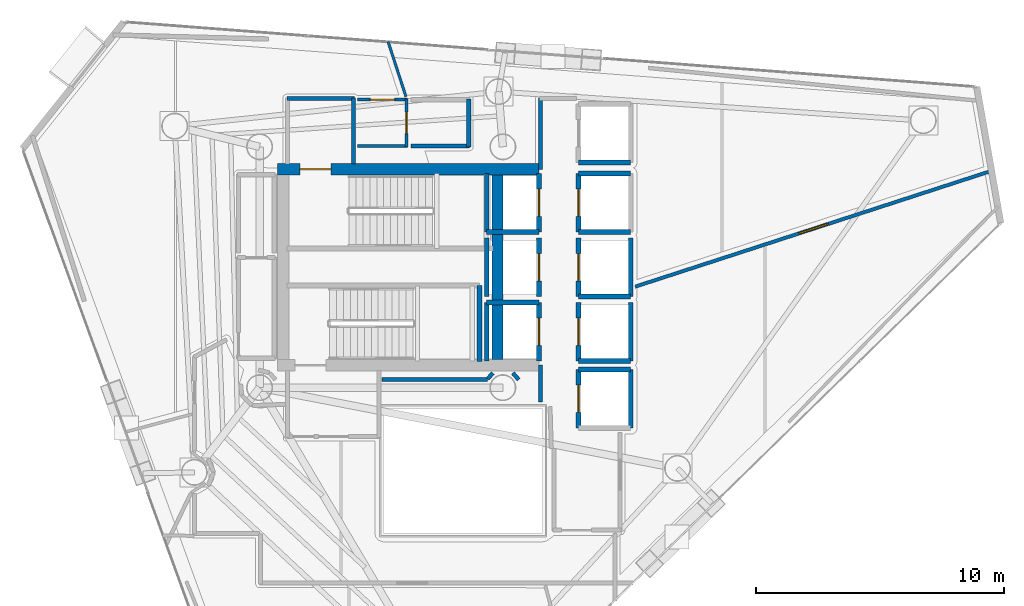
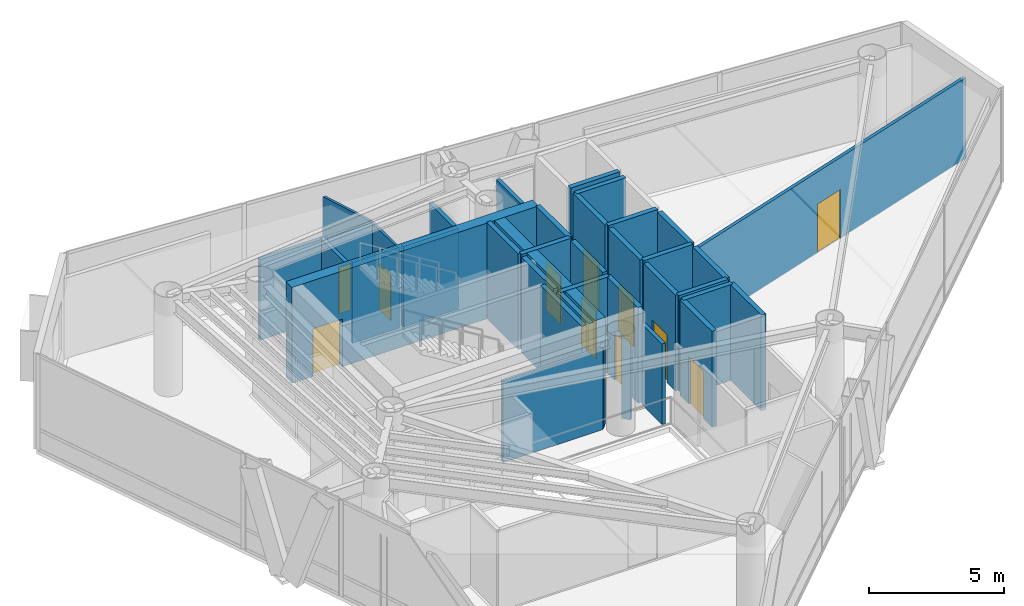
# One storey, part 18 of 21: 38 walls, 11 doors, 11 openings.
"""IFC4 building model written with IfcOpenShell, lengths in metres."""

from ifc_helpers import new_model, si_unit, direction, frame, frame_2d, origin, place, context, subcontext, project, spatial, rectangle, extrude, material, layer, layer_set, type_object, element, fill, save


model = new_model("IFC4")

# Units and contexts
model_context = context("Model", 3, precision=1e-05, world=origin(), true_north=direction((0.0, 1.0)))
body_context = subcontext(model_context, "Body", "Model", "MODEL_VIEW")
ifc_project = project(units=[si_unit("LENGTHUNIT", "METRE"), si_unit("AREAUNIT", "SQUARE_METRE"), si_unit("VOLUMEUNIT", "CUBIC_METRE"), si_unit("PLANEANGLEUNIT", "RADIAN"), si_unit("MASSUNIT", "GRAM", prefix="KILO")], contexts=[model_context])

# Site, building, storey
site_placement = place(None, origin())
site = spatial("IfcSite", under=ifc_project, at=site_placement, CompositionType="ELEMENT")
building_placement = place(site_placement, origin())
building = spatial("IfcBuilding", under=site, at=building_placement, Name="Qianvela Tower", CompositionType="ELEMENT")
storey_placement = place(building_placement, frame((0.0, 0.0, 234.5)))
storey = spatial("IfcBuildingStorey", under=building, at=storey_placement, Name="L60", CompositionType="ELEMENT", Elevation=234.5)

# Wall, opening, door
ifc_material_1 = material(Name="Concrete C50", Category="concrete")
ifc_layer_1 = layer(ifc_material_1, 0.449951171875)
ifc_layer_set_1 = layer_set([ifc_layer_1], Name="Concrete C50")
wall_type_1 = type_object("IfcWallType", Name="WT-CORE-450", PredefinedType="SHEAR", material=ifc_layer_set_1)
wall_1_placement = place(storey_placement, frame((29.330078125, 32.64501953125, 0.0), z_axis=(0.0, 0.0, 1.0), x_axis=(1.0, 0.0, 0.0)))
wall_1 = element("IfcWall", 1, at=wall_1_placement, inside=storey, type_object=wall_type_1, Name="L60 North Core Shear Wall", PredefinedType="SHEAR", context=body_context, shape_type="SweptSolid", body=[
    extrude(rectangle(XDim=10.52001953125, YDim=0.449951171875, at=frame_2d((5.260009765625, 0.0))), origin(), (0.0, 0.0, 1.0), 4.320068359375),
])
opening_1_placement = place(wall_1_placement, frame((0.89501953125, 0.0, 0.0)))
opening_1 = element("IfcOpeningElement", 2, at=opening_1_placement, cuts=wall_1, Name="Opening D-ST1", PredefinedType="OPENING", context=body_context, shape_type="SweptSolid", body=[
    extrude(rectangle(XDim=1.25, YDim=2.14990234375, at=frame_2d((0.625, 1.074951171875))), frame((0.0, 0.23486328125, 0.0), z_axis=(0.0, -1.0, 0.0), x_axis=(1.0, 0.0, 0.0)), (0.0, 0.0, 1.0), 0.469970703125),
])
ifc_material_2 = material(Name="Galvanised Fire Steel Q355B", Category="steel")
door_type_1 = type_object("IfcDoorType", Name="DT-STAIR-FD90", OperationType="NOTDEFINED", PredefinedType="DOOR", material=ifc_material_2)
door_1_placement = place(opening_1_placement, origin())
door_1 = element("IfcDoor", 3, at=door_1_placement, inside=storey, type_object=door_type_1, Name="L60 Stair ST-1 Exit Door", OperationType="SINGLE_SWING_RIGHT", OverallHeight=2.14990234375, OverallWidth=1.25, PredefinedType="DOOR", context=body_context, shape_type="SweptSolid", body=[
    extrude(rectangle(XDim=1.25, YDim=2.14990234375, at=frame_2d((0.625, 1.074951171875))), frame((0.0, 0.02490234375, 0.0), z_axis=(0.0, -1.0, 0.0), x_axis=(1.0, 0.0, 0.0)), (0.0, 0.0, 1.0), 0.050048828125),
])
fill(opening_1, door_1)

# Walls
wall_2_placement = place(storey_placement, frame((38.179931640625, 24.97998046875, 0.0), z_axis=(0.0, 0.0, 1.0), x_axis=(0.0, 1.0, 0.0)))
element("IfcWall", 4, at=wall_2_placement, inside=storey, type_object=wall_type_1, Name="L60 East Spine Core Shear Wall", PredefinedType="SHEAR", context=body_context, shape_type="SweptSolid", body=[
    extrude(rectangle(XDim=7.43994140625, YDim=0.449951171875, at=frame_2d((3.719970703125, 0.0))), origin(), (0.0, 0.0, 1.0), 4.320068359375),
])
ifc_material_3 = material(Name="Fire-Rated Gypsum and Concrete Block", Category="concrete")
ifc_layer_2 = layer(ifc_material_3, 0.159912109375)
ifc_layer_set_2 = layer_set([ifc_layer_2], Name="Fire-Rated Gypsum and Concrete Block")
wall_type_2 = type_object("IfcWallType", Name="WT-CORR-160", PredefinedType="PARTITIONING", material=ifc_layer_set_2)
wall_3_placement = place(storey_placement, frame((29.699951171875, 35.489013671875, 0.0), z_axis=(0.0, 0.0, 1.0), x_axis=(1.0, 0.0, 0.0)))
element("IfcWall", 5, at=wall_3_placement, inside=storey, type_object=wall_type_2, Name="L60 Partition 3", PredefinedType="PARTITIONING", context=body_context, shape_type="SweptSolid", body=[
    extrude(rectangle(XDim=2.719970703125, YDim=0.159912109375, at=frame_2d((1.35986328125, 0.0))), origin(), (0.0, 0.0, 1.0), 3.639892578125),
])
wall_4_placement = place(storey_placement, frame((32.388916015625, 35.52001953125, 0.0), z_axis=(0.0, 0.0, 1.0), x_axis=(0.0, -1.0, 0.0)))
element("IfcWall", 6, at=wall_4_placement, inside=storey, type_object=wall_type_2, Name="L60 Partition 4", PredefinedType="PARTITIONING", context=body_context, shape_type="SweptSolid", body=[
    extrude(rectangle(XDim=2.662109375, YDim=0.159912109375, at=frame_2d((1.3310546875, 0.0))), origin(), (0.0, 0.0, 1.0), 3.639892578125),
])
wall_5_placement = place(storey_placement, frame((39.910888671875, 23.280029296875, 0.0), z_axis=(0.0, 0.0, 1.0), x_axis=(0.0, 1.0, 0.0)))
element("IfcWall", 7, at=wall_5_placement, inside=storey, type_object=wall_type_2, Name="L60 Partition 10", PredefinedType="PARTITIONING", context=body_context, shape_type="SweptSolid", body=[
    extrude(rectangle(XDim=1.47998046875, YDim=0.159912109375, at=frame_2d((0.739990234375, 0.0))), origin(), (0.0, 0.0, 1.0), 3.639892578125),
])
wall_6_placement = place(storey_placement, frame((39.910888671875, 32.639892578125, 0.0), z_axis=(0.0, 0.0, 1.0), x_axis=(0.0, 1.0, 0.0)))
element("IfcWall", 8, at=wall_6_placement, inside=storey, type_object=wall_type_2, Name="L60 Partition 12", PredefinedType="PARTITIONING", context=body_context, shape_type="SweptSolid", body=[
    extrude(rectangle(XDim=2.880126953125, YDim=0.159912109375, at=frame_2d((1.43994140625, 0.0))), origin(), (0.0, 0.0, 1.0), 3.639892578125),
])
wall_7_placement = place(storey_placement, frame((39.0361328125, 24.170166015625, 0.0), z_axis=(0.0, 0.0, 1.0), x_axis=(-0.652260263346, 0.757995084984, 0.0)))
element("IfcWall", 9, at=wall_7_placement, inside=storey, type_object=wall_type_2, Name="L60 Partition 49", PredefinedType="PARTITIONING", context=body_context, shape_type="SweptSolid", body=[
    extrude(rectangle(XDim=0.35546875, YDim=0.159912109375, at=frame_2d((0.177734375, 0.0))), origin(), (0.0, 0.0, 1.0), 3.639892578125),
])
wall_8_placement = place(storey_placement, frame((37.995849609375, 24.439697265625, 0.0), z_axis=(0.0, 0.0, 1.0), x_axis=(-0.652425645794, -0.757852740782, 0.0)))
element("IfcWall", 10, at=wall_8_placement, inside=storey, type_object=wall_type_2, Name="L60 Partition 52", PredefinedType="PARTITIONING", context=body_context, shape_type="SweptSolid", body=[
    extrude(rectangle(XDim=0.319580078125, YDim=0.159912109375, at=frame_2d((0.15966796875, 0.0))), origin(), (0.0, 0.0, 1.0), 3.639892578125),
])
wall_9_placement = place(storey_placement, frame((37.787353515625, 24.180908203125, 0.0), z_axis=(0.0, 0.0, 1.0), x_axis=(-1.0, 0.0, 0.0)))
element("IfcWall", 11, at=wall_9_placement, inside=storey, type_object=wall_type_2, Name="L60 Partition 53", PredefinedType="PARTITIONING", context=body_context, shape_type="SweptSolid", body=[
    extrude(rectangle(XDim=4.25732421875, YDim=0.159912109375, at=frame_2d((2.128662109375, 0.0))), origin(), (0.0, 0.0, 1.0), 3.639892578125),
])
ifc_material_4 = material(Name="Lightweight Gypsum Room Partition")
ifc_layer_3 = layer(ifc_material_4, 0.10498046875)
ifc_layer_set_3 = layer_set([ifc_layer_3], Name="Lightweight Gypsum Room Partition")
wall_type_3 = type_object("IfcWallType", Name="WT-PART-105", PredefinedType="PARTITIONING", material=ifc_layer_set_3)
wall_10_placement = place(storey_placement, frame((34.550048828125, 33.5810546875, 0.0), z_axis=(0.0, 0.0, 1.0), x_axis=(-1.0, 0.0, 0.0)))
element("IfcWall", 12, at=wall_10_placement, inside=storey, type_object=wall_type_3, Name="L60 Partition 19", PredefinedType="PARTITIONING", context=body_context, shape_type="SweptSolid", body=[
    extrude(rectangle(XDim=2.0, YDim=0.10498046875, at=frame_2d((1.0, 0.0))), origin(), (0.0, 0.0, 1.0), 3.639892578125),
])

# Wall, opening, door
wall_11_placement = place(storey_placement, frame((34.51904296875, 35.47998046875, 0.0), z_axis=(0.0, 0.0, 1.0), x_axis=(0.0, -1.0, 0.0)))
wall_11 = element("IfcWall", 13, at=wall_11_placement, inside=storey, type_object=wall_type_3, Name="L60 Partition 22", PredefinedType="PARTITIONING", context=body_context, shape_type="SweptSolid", body=[
    extrude(rectangle(XDim=1.929931640625, YDim=0.10498046875, at=frame_2d((0.96484375, 0.0))), origin(), (0.0, 0.0, 1.0), 3.639892578125),
])
opening_2_placement = place(wall_11_placement, frame((0.534912109375, 0.0, 0.0)))
opening_2 = element("IfcOpeningElement", 14, at=opening_2_placement, cuts=wall_11, Name="Opening D-WC1", PredefinedType="OPENING", context=body_context, shape_type="SweptSolid", body=[
    extrude(rectangle(XDim=0.860107421875, YDim=2.050048828125, at=frame_2d((0.43017578125, 1.02490234375))), frame((0.0, 0.0625, 0.0), z_axis=(0.0, -1.0, 0.0), x_axis=(1.0, 0.0, 0.0)), (0.0, 0.0, 1.0), 0.125),
])
ifc_material_5 = material(Name="Moisture-Sealed Acoustic Timber Door", Category="wood")
door_type_2 = type_object("IfcDoorType", Name="DT-WC-860", OperationType="NOTDEFINED", PredefinedType="DOOR", material=ifc_material_5)
door_2_placement = place(opening_2_placement, origin())
door_2 = element("IfcDoor", 15, at=door_2_placement, inside=storey, type_object=door_type_2, Name="L60 Door L60 Accessible WC to L60 Cleaner Store", OperationType="SINGLE_SWING_RIGHT", OverallHeight=2.050048828125, OverallWidth=0.860107421875, PredefinedType="DOOR", context=body_context, shape_type="SweptSolid", body=[
    extrude(rectangle(XDim=0.860107421875, YDim=2.050048828125, at=frame_2d((0.43017578125, 1.02490234375))), frame((0.0, 0.02490234375, 0.0), z_axis=(0.0, -1.0, 0.0), x_axis=(1.0, 0.0, 0.0)), (0.0, 0.0, 1.0), 0.050048828125),
])
fill(opening_2, door_2)

# Wall
wall_12_placement = place(storey_placement, frame((34.496826171875, 35.569580078125, 0.0), z_axis=(0.0, 0.0, 1.0), x_axis=(-0.308984127741, 0.951067194684, 0.0)))
element("IfcWall", 16, at=wall_12_placement, inside=storey, type_object=wall_type_3, Name="L60 Partition 103", PredefinedType="PARTITIONING", context=body_context, shape_type="SweptSolid", body=[
    extrude(rectangle(XDim=2.32861328125, YDim=0.10498046875, at=frame_2d((1.164306640625, 0.0))), origin(), (0.0, 0.0, 1.0), 3.639892578125),
])

# Wall, opening, door
ifc_material_6 = material(Name="Insulated Gypsum Stud Partition")
ifc_layer_4 = layer(ifc_material_6, 0.1201171875)
ifc_layer_set_4 = layer_set([ifc_layer_4], Name="Insulated Gypsum Stud Partition")
wall_type_4 = type_object("IfcWallType", Name="WT-PART-120", PredefinedType="PARTITIONING", material=ifc_layer_set_4)
wall_13_placement = place(storey_placement, frame((32.550048828125, 35.448974609375, 0.0), z_axis=(0.0, 0.0, 1.0), x_axis=(1.0, 0.0, 0.0)))
wall_13 = element("IfcWall", 17, at=wall_13_placement, inside=storey, type_object=wall_type_4, Name="L60 Partition 21", PredefinedType="PARTITIONING", context=body_context, shape_type="SweptSolid", body=[
    extrude(rectangle(XDim=2.0, YDim=0.1201171875, at=frame_2d((1.0, 0.0))), origin(), (0.0, 0.0, 1.0), 3.639892578125),
])
opening_3_placement = place(wall_13_placement, frame((0.510009765625, 0.0, 0.0)))
opening_3 = element("IfcOpeningElement", 18, at=opening_3_placement, cuts=wall_13, Name="Opening D-RM1", PredefinedType="OPENING", context=body_context, shape_type="SweptSolid", body=[
    extrude(rectangle(XDim=0.97998046875, YDim=2.10009765625, at=frame_2d((0.489990234375, 1.050048828125))), frame((0.0, 0.070068359375, 0.0), z_axis=(0.0, -1.0, 0.0), x_axis=(1.0, 0.0, 0.0)), (0.0, 0.0, 1.0), 0.14013671875),
])
ifc_material_7 = material(Name="Solid Core Acoustic Timber Fire Door", Category="wood")
door_type_3 = type_object("IfcDoorType", Name="DT-ROOM-FD60", OperationType="NOTDEFINED", PredefinedType="DOOR", material=ifc_material_7)
door_3_placement = place(opening_3_placement, origin())
door_3 = element("IfcDoor", 19, at=door_3_placement, inside=storey, type_object=door_type_3, Name="L60 Door L60 Cleaner Store to L60 Shared Sky Kitchen and Cafe", OperationType="SINGLE_SWING_LEFT", OverallHeight=2.10009765625, OverallWidth=0.97998046875, PredefinedType="DOOR", context=body_context, shape_type="SweptSolid", body=[
    extrude(rectangle(XDim=0.97998046875, YDim=2.10009765625, at=frame_2d((0.489990234375, 1.050048828125))), frame((0.0, 0.02490234375, 0.0), z_axis=(0.0, -1.0, 0.0), x_axis=(1.0, 0.0, 0.0)), (0.0, 0.0, 1.0), 0.050048828125),
])
fill(opening_3, door_3)

# Walls
ifc_material_8 = material(Name="Moisture-Resistant Acoustic Plumbing Wall")
ifc_layer_5 = layer(ifc_material_8, 0.175048828125)
ifc_layer_set_5 = layer_set([ifc_layer_5], Name="Moisture-Resistant Acoustic Plumbing Wall")
wall_type_5 = type_object("IfcWallType", Name="WT-PLUMB-175", PredefinedType="PLUMBINGWALL", material=ifc_layer_set_5)
wall_14_placement = place(storey_placement, frame((37.050048828125, 33.5810546875, 0.0), z_axis=(0.0, 0.0, 1.0), x_axis=(-1.0, 0.0, 0.0)))
element("IfcWall", 20, at=wall_14_placement, inside=storey, type_object=wall_type_5, Name="L60 Partition 23", PredefinedType="PLUMBINGWALL", context=body_context, shape_type="SweptSolid", body=[
    extrude(rectangle(XDim=2.35009765625, YDim=0.175048828125, at=frame_2d((1.175048828125, 0.0))), origin(), (0.0, 0.0, 1.0), 3.639892578125),
])
wall_15_placement = place(storey_placement, frame((37.01904296875, 35.47998046875, 0.0), z_axis=(0.0, 0.0, 1.0), x_axis=(0.0, -1.0, 0.0)))
element("IfcWall", 21, at=wall_15_placement, inside=storey, type_object=wall_type_5, Name="L60 Partition 26", PredefinedType="PLUMBINGWALL", context=body_context, shape_type="SweptSolid", body=[
    extrude(rectangle(XDim=1.929931640625, YDim=0.175048828125, at=frame_2d((0.96484375, 0.0))), origin(), (0.0, 0.0, 1.0), 3.639892578125),
])

# Wall, opening, door
ifc_material_9 = material(Name="Acoustic Double Gypsum Stud Partition")
ifc_layer_6 = layer(ifc_material_9, 0.139892578125)
ifc_layer_set_6 = layer_set([ifc_layer_6], Name="Acoustic Double Gypsum Stud Partition")
wall_type_6 = type_object("IfcWallType", Name="WT-ROOM-140", PredefinedType="PARTITIONING", material=ifc_layer_set_6)
wall_16_placement = place(storey_placement, frame((43.7294921875, 27.91796875, 0.0), z_axis=(0.0, 0.0, 1.0), x_axis=(0.951056383536, 0.309017402966, 0.0)))
wall_16 = element("IfcWall", 22, at=wall_16_placement, inside=storey, type_object=wall_type_6, Name="L60 Partition 89", PredefinedType="PARTITIONING", context=body_context, shape_type="SweptSolid", body=[
    extrude(rectangle(XDim=15.11376953125, YDim=0.139892578125, at=frame_2d((7.556884765625, 0.0))), origin(), (0.0, 0.0, 1.0), 3.639892578125),
])
opening_4_placement = place(wall_16_placement, frame((6.931884765625, 0.0, 0.0)))
opening_4 = element("IfcOpeningElement", 23, at=opening_4_placement, cuts=wall_16, Name="Opening D-LG1", PredefinedType="OPENING", context=body_context, shape_type="SweptSolid", body=[
    extrude(rectangle(XDim=1.25, YDim=2.199951171875, at=frame_2d((0.625, 1.10009765625))), frame((0.0, 0.079833984375, 0.0), z_axis=(0.0, -1.0, 0.0), x_axis=(1.0, 0.0, 0.0)), (0.0, 0.0, 1.0), 0.159912109375),
])
ifc_material_10 = material(Name="Anodised Aluminium Acoustic Glass Door", Category="aluminium")
door_type_4 = type_object("IfcDoorType", Name="DT-LOUNGE-1250", OperationType="NOTDEFINED", PredefinedType="DOOR", material=ifc_material_10)
door_4_placement = place(opening_4_placement, origin())
door_4 = element("IfcDoor", 24, at=door_4_placement, inside=storey, type_object=door_type_4, Name="L60 Door L60 Graduate Study Lounge to L60 Sky Transfer Reception", OperationType="SINGLE_SWING_LEFT", OverallHeight=2.199951171875, OverallWidth=1.25, PredefinedType="DOOR", context=body_context, shape_type="SweptSolid", body=[
    extrude(rectangle(XDim=1.25, YDim=2.199951171875, at=frame_2d((0.625, 1.10009765625))), frame((0.0, 0.02490234375, 0.0), z_axis=(0.0, -1.0, 0.0), x_axis=(1.0, 0.0, 0.0)), (0.0, 0.0, 1.0), 0.050048828125),
])
fill(opening_4, door_4)

# Wall
ifc_material_11 = material(Name="Concrete C50", Category="concrete")
ifc_layer_7 = layer(ifc_material_11, 0.199951171875)
ifc_layer_set_7 = layer_set([ifc_layer_7], Name="Concrete C50")
wall_type_7 = type_object("IfcWallType", Name="WT-SHAFT-200", PredefinedType="SOLIDWALL", material=ifc_layer_set_7)
wall_17_placement = place(storey_placement, frame((37.449951171875, 24.89990234375, 0.0), z_axis=(0.0, 0.0, 1.0), x_axis=(0.0, 1.0, 0.0)))
element("IfcWall", 25, at=wall_17_placement, inside=storey, type_object=wall_type_7, Name="L60 Stair ST-2 East Wall", PredefinedType="SOLIDWALL", context=body_context, shape_type="SweptSolid", body=[
    extrude(rectangle(XDim=3.06005859375, YDim=0.199951171875, at=frame_2d((1.530029296875, 0.0))), origin(), (0.0, 0.0, 1.0), 4.320068359375),
])

# Wall, opening, door
wall_18_placement = place(storey_placement, frame((39.85009765625, 30.1201171875, 0.0), z_axis=(0.0, 0.0, 1.0), x_axis=(0.0, 1.0, 0.0)))
wall_18 = element("IfcWall", 26, at=wall_18_placement, inside=storey, type_object=wall_type_7, Name="L60 Lift FL-1 E Shaft Wall", PredefinedType="SOLIDWALL", context=body_context, shape_type="SweptSolid", body=[
    extrude(rectangle(XDim=2.35986328125, YDim=0.199951171875, at=frame_2d((1.179931640625, 0.0))), origin(), (0.0, 0.0, 1.0), 4.320068359375),
])
opening_5_placement = place(wall_18_placement, frame((0.6298828125, 0.0, 0.0)))
opening_5 = element("IfcOpeningElement", 27, at=opening_5_placement, cuts=wall_18, Name="Opening LD-01", PredefinedType="OPENING", context=body_context, shape_type="SweptSolid", body=[
    extrude(rectangle(XDim=1.10009765625, YDim=2.14990234375, at=frame_2d((0.550048828125, 1.074951171875))), frame((0.0, 0.10986328125, 0.0), z_axis=(0.0, -1.0, 0.0), x_axis=(1.0, 0.0, 0.0)), (0.0, 0.0, 1.0), 0.219970703125),
])
ifc_material_12 = material(Name="Brushed Stainless Steel Lift Landing Door", Category="steel")
door_type_5 = type_object("IfcDoorType", Name="DT-LIFT-SLIDE-1100", OperationType="SLIDING_TO_LEFT", PredefinedType="DOOR", material=ifc_material_12)
door_5_placement = place(opening_5_placement, origin())
door_5 = element("IfcDoor", 28, at=door_5_placement, inside=storey, type_object=door_type_5, Name="L60 Lift FL-1 Sliding Landing Door", OperationType="SLIDING_TO_LEFT", OverallHeight=2.14990234375, OverallWidth=1.10009765625, PredefinedType="DOOR", context=body_context, shape_type="SweptSolid", body=[
    extrude(rectangle(XDim=1.10009765625, YDim=2.14990234375, at=frame_2d((0.550048828125, 1.074951171875))), frame((0.0, 0.02490234375, 0.0), z_axis=(0.0, -1.0, 0.0), x_axis=(1.0, 0.0, 0.0)), (0.0, 0.0, 1.0), 0.050048828125),
])
fill(opening_5, door_5)

# Walls
wall_19_placement = place(storey_placement, frame((37.75, 30.1201171875, 0.0), z_axis=(0.0, 0.0, 1.0), x_axis=(0.0, 1.0, 0.0)))
element("IfcWall", 29, at=wall_19_placement, inside=storey, type_object=wall_type_7, Name="L60 Lift FL-1 W Shaft Wall", PredefinedType="SOLIDWALL", context=body_context, shape_type="SweptSolid", body=[
    extrude(rectangle(XDim=2.35986328125, YDim=0.199951171875, at=frame_2d((1.179931640625, 0.0))), origin(), (0.0, 0.0, 1.0), 4.320068359375),
])
wall_20_placement = place(storey_placement, frame((37.75, 30.1201171875, 0.0), z_axis=(0.0, 0.0, 1.0), x_axis=(1.0, 0.0, 0.0)))
element("IfcWall", 30, at=wall_20_placement, inside=storey, type_object=wall_type_7, Name="L60 Lift FL-1 S Shaft Wall", PredefinedType="SOLIDWALL", context=body_context, shape_type="SweptSolid", body=[
    extrude(rectangle(XDim=2.10009765625, YDim=0.199951171875, at=frame_2d((1.050048828125, 0.0))), origin(), (0.0, 0.0, 1.0), 4.320068359375),
])

# Wall, opening, door
wall_21_placement = place(storey_placement, frame((39.85009765625, 24.919921875, 0.0), z_axis=(0.0, 0.0, 1.0), x_axis=(0.0, 1.0, 0.0)))
wall_21 = element("IfcWall", 31, at=wall_21_placement, inside=storey, type_object=wall_type_7, Name="L60 Lift FL-2 E Shaft Wall", PredefinedType="SOLIDWALL", context=body_context, shape_type="SweptSolid", body=[
    extrude(rectangle(XDim=2.360107421875, YDim=0.199951171875, at=frame_2d((1.18017578125, 0.0))), origin(), (0.0, 0.0, 1.0), 4.320068359375),
])
opening_6_placement = place(wall_21_placement, frame((0.6298828125, 0.0, 0.0)))
opening_6 = element("IfcOpeningElement", 32, at=opening_6_placement, cuts=wall_21, Name="Opening LD-01", PredefinedType="OPENING", context=body_context, shape_type="SweptSolid", body=[
    extrude(rectangle(XDim=1.10009765625, YDim=2.14990234375, at=frame_2d((0.550048828125, 1.074951171875))), frame((0.0, 0.10986328125, 0.0), z_axis=(0.0, -1.0, 0.0), x_axis=(1.0, 0.0, 0.0)), (0.0, 0.0, 1.0), 0.219970703125),
])
door_6_placement = place(opening_6_placement, origin())
door_6 = element("IfcDoor", 33, at=door_6_placement, inside=storey, type_object=door_type_5, Name="L60 Lift FL-2 Sliding Landing Door", OperationType="SLIDING_TO_LEFT", OverallHeight=2.14990234375, OverallWidth=1.10009765625, PredefinedType="DOOR", context=body_context, shape_type="SweptSolid", body=[
    extrude(rectangle(XDim=1.10009765625, YDim=2.14990234375, at=frame_2d((0.550048828125, 1.074951171875))), frame((0.0, 0.02490234375, 0.0), z_axis=(0.0, -1.0, 0.0), x_axis=(1.0, 0.0, 0.0)), (0.0, 0.0, 1.0), 0.050048828125),
])
fill(opening_6, door_6)

# Walls
wall_22_placement = place(storey_placement, frame((37.75, 24.919921875, 0.0), z_axis=(0.0, 0.0, 1.0), x_axis=(0.0, 1.0, 0.0)))
element("IfcWall", 34, at=wall_22_placement, inside=storey, type_object=wall_type_7, Name="L60 Lift FL-2 W Shaft Wall", PredefinedType="SOLIDWALL", context=body_context, shape_type="SweptSolid", body=[
    extrude(rectangle(XDim=2.360107421875, YDim=0.199951171875, at=frame_2d((1.18017578125, 0.0))), origin(), (0.0, 0.0, 1.0), 4.320068359375),
])
wall_23_placement = place(storey_placement, frame((37.75, 27.280029296875, 0.0), z_axis=(0.0, 0.0, 1.0), x_axis=(1.0, 0.0, 0.0)))
element("IfcWall", 35, at=wall_23_placement, inside=storey, type_object=wall_type_7, Name="L60 Lift FL-2 N Shaft Wall", PredefinedType="SOLIDWALL", context=body_context, shape_type="SweptSolid", body=[
    extrude(rectangle(XDim=2.10009765625, YDim=0.199951171875, at=frame_2d((1.050048828125, 0.0))), origin(), (0.0, 0.0, 1.0), 4.320068359375),
])

# Wall, opening, door
wall_24_placement = place(storey_placement, frame((41.449951171875, 30.1201171875, 0.0), z_axis=(0.0, 0.0, 1.0), x_axis=(0.0, 1.0, 0.0)))
wall_24 = element("IfcWall", 36, at=wall_24_placement, inside=storey, type_object=wall_type_7, Name="L60 Lift PL-M1 W Shaft Wall", PredefinedType="SOLIDWALL", context=body_context, shape_type="SweptSolid", body=[
    extrude(rectangle(XDim=2.35986328125, YDim=0.199951171875, at=frame_2d((1.179931640625, 0.0))), origin(), (0.0, 0.0, 1.0), 4.320068359375),
])
opening_7_placement = place(wall_24_placement, frame((0.6298828125, 0.0, 0.0)))
opening_7 = element("IfcOpeningElement", 37, at=opening_7_placement, cuts=wall_24, Name="Opening LD-01", PredefinedType="OPENING", context=body_context, shape_type="SweptSolid", body=[
    extrude(rectangle(XDim=1.10009765625, YDim=2.14990234375, at=frame_2d((0.550048828125, 1.074951171875))), frame((0.0, 0.10986328125, 0.0), z_axis=(0.0, -1.0, 0.0), x_axis=(1.0, 0.0, 0.0)), (0.0, 0.0, 1.0), 0.219970703125),
])
door_7_placement = place(opening_7_placement, origin())
door_7 = element("IfcDoor", 38, at=door_7_placement, inside=storey, type_object=door_type_5, Name="L60 Lift PL-M1 Sliding Landing Door", OperationType="SLIDING_TO_LEFT", OverallHeight=2.14990234375, OverallWidth=1.10009765625, PredefinedType="DOOR", context=body_context, shape_type="SweptSolid", body=[
    extrude(rectangle(XDim=1.10009765625, YDim=2.14990234375, at=frame_2d((0.550048828125, 1.074951171875))), frame((0.0, 0.02490234375, 0.0), z_axis=(0.0, -1.0, 0.0), x_axis=(1.0, 0.0, 0.0)), (0.0, 0.0, 1.0), 0.050048828125),
])
fill(opening_7, door_7)

# Walls
for number, where, z_axis, x_axis, name in (
    (39, (41.449951171875, 32.47998046875, 0.0), (0.0, 0.0, 1.0), (1.0, 0.0, 0.0), "L60 Lift PL-M1 N Shaft Wall"),
    (40, (41.449951171875, 30.1201171875, 0.0), (0.0, 0.0, 1.0), (1.0, 0.0, 0.0), "L60 Lift PL-M1 S Shaft Wall"),
):
    element("IfcWall", number, at=place(storey_placement, frame(where, z_axis=z_axis, x_axis=x_axis)), inside=storey, type_object=wall_type_7, Name=name, PredefinedType="SOLIDWALL", context=body_context, shape_type="SweptSolid", body=[
        extrude(rectangle(XDim=2.10009765625, YDim=0.199951171875, at=frame_2d((1.050048828125, 0.0))), origin(), (0.0, 0.0, 1.0), 4.320068359375),
    ])
wall_25_placement = place(storey_placement, frame((43.550048828125, 27.52001953125, 0.0), z_axis=(0.0, 0.0, 1.0), x_axis=(0.0, 1.0, 0.0)))
element("IfcWall", 41, at=wall_25_placement, inside=storey, type_object=wall_type_7, Name="L60 Lift PL-M2 E Shaft Wall", PredefinedType="SOLIDWALL", context=body_context, shape_type="SweptSolid", body=[
    extrude(rectangle(XDim=2.35986328125, YDim=0.199951171875, at=frame_2d((1.179931640625, 0.0))), origin(), (0.0, 0.0, 1.0), 4.320068359375),
])

# Wall, opening, door
wall_26_placement = place(storey_placement, frame((41.449951171875, 27.52001953125, 0.0), z_axis=(0.0, 0.0, 1.0), x_axis=(0.0, 1.0, 0.0)))
wall_26 = element("IfcWall", 42, at=wall_26_placement, inside=storey, type_object=wall_type_7, Name="L60 Lift PL-M2 W Shaft Wall", PredefinedType="SOLIDWALL", context=body_context, shape_type="SweptSolid", body=[
    extrude(rectangle(XDim=2.35986328125, YDim=0.199951171875, at=frame_2d((1.179931640625, 0.0))), origin(), (0.0, 0.0, 1.0), 4.320068359375),
])
opening_8_placement = place(wall_26_placement, frame((0.6298828125, 0.0, 0.0)))
opening_8 = element("IfcOpeningElement", 43, at=opening_8_placement, cuts=wall_26, Name="Opening LD-01", PredefinedType="OPENING", context=body_context, shape_type="SweptSolid", body=[
    extrude(rectangle(XDim=1.10009765625, YDim=2.14990234375, at=frame_2d((0.550048828125, 1.074951171875))), frame((0.0, 0.10986328125, 0.0), z_axis=(0.0, -1.0, 0.0), x_axis=(1.0, 0.0, 0.0)), (0.0, 0.0, 1.0), 0.219970703125),
])
door_8_placement = place(opening_8_placement, origin())
door_8 = element("IfcDoor", 44, at=door_8_placement, inside=storey, type_object=door_type_5, Name="L60 Lift PL-M2 Sliding Landing Door", OperationType="SLIDING_TO_LEFT", OverallHeight=2.14990234375, OverallWidth=1.10009765625, PredefinedType="DOOR", context=body_context, shape_type="SweptSolid", body=[
    extrude(rectangle(XDim=1.10009765625, YDim=2.14990234375, at=frame_2d((0.550048828125, 1.074951171875))), frame((0.0, 0.02490234375, 0.0), z_axis=(0.0, -1.0, 0.0), x_axis=(1.0, 0.0, 0.0)), (0.0, 0.0, 1.0), 0.050048828125),
])
fill(opening_8, door_8)

# Walls
wall_27_placement = place(storey_placement, frame((41.449951171875, 27.52001953125, 0.0), z_axis=(0.0, 0.0, 1.0), x_axis=(1.0, 0.0, 0.0)))
element("IfcWall", 45, at=wall_27_placement, inside=storey, type_object=wall_type_7, Name="L60 Lift PL-M2 S Shaft Wall", PredefinedType="SOLIDWALL", context=body_context, shape_type="SweptSolid", body=[
    extrude(rectangle(XDim=2.10009765625, YDim=0.199951171875, at=frame_2d((1.050048828125, 0.0))), origin(), (0.0, 0.0, 1.0), 4.320068359375),
])
wall_28_placement = place(storey_placement, frame((43.550048828125, 24.919921875, 0.0), z_axis=(0.0, 0.0, 1.0), x_axis=(0.0, 1.0, 0.0)))
element("IfcWall", 46, at=wall_28_placement, inside=storey, type_object=wall_type_7, Name="L60 Lift PL-M3 E Shaft Wall", PredefinedType="SOLIDWALL", context=body_context, shape_type="SweptSolid", body=[
    extrude(rectangle(XDim=2.360107421875, YDim=0.199951171875, at=frame_2d((1.18017578125, 0.0))), origin(), (0.0, 0.0, 1.0), 4.320068359375),
])

# Wall, opening, door
wall_29_placement = place(storey_placement, frame((41.449951171875, 24.919921875, 0.0), z_axis=(0.0, 0.0, 1.0), x_axis=(0.0, 1.0, 0.0)))
wall_29 = element("IfcWall", 47, at=wall_29_placement, inside=storey, type_object=wall_type_7, Name="L60 Lift PL-M3 W Shaft Wall", PredefinedType="SOLIDWALL", context=body_context, shape_type="SweptSolid", body=[
    extrude(rectangle(XDim=2.360107421875, YDim=0.199951171875, at=frame_2d((1.18017578125, 0.0))), origin(), (0.0, 0.0, 1.0), 4.320068359375),
])
opening_9_placement = place(wall_29_placement, frame((0.6298828125, 0.0, 0.0)))
opening_9 = element("IfcOpeningElement", 48, at=opening_9_placement, cuts=wall_29, Name="Opening LD-01", PredefinedType="OPENING", context=body_context, shape_type="SweptSolid", body=[
    extrude(rectangle(XDim=1.10009765625, YDim=2.14990234375, at=frame_2d((0.550048828125, 1.074951171875))), frame((0.0, 0.10986328125, 0.0), z_axis=(0.0, -1.0, 0.0), x_axis=(1.0, 0.0, 0.0)), (0.0, 0.0, 1.0), 0.219970703125),
])
door_9_placement = place(opening_9_placement, origin())
door_9 = element("IfcDoor", 49, at=door_9_placement, inside=storey, type_object=door_type_5, Name="L60 Lift PL-M3 Sliding Landing Door", OperationType="SLIDING_TO_LEFT", OverallHeight=2.14990234375, OverallWidth=1.10009765625, PredefinedType="DOOR", context=body_context, shape_type="SweptSolid", body=[
    extrude(rectangle(XDim=1.10009765625, YDim=2.14990234375, at=frame_2d((0.550048828125, 1.074951171875))), frame((0.0, 0.02490234375, 0.0), z_axis=(0.0, -1.0, 0.0), x_axis=(1.0, 0.0, 0.0)), (0.0, 0.0, 1.0), 0.050048828125),
])
fill(opening_9, door_9)

# Wall
wall_30_placement = place(storey_placement, frame((41.449951171875, 24.919921875, 0.0), z_axis=(0.0, 0.0, 1.0), x_axis=(1.0, 0.0, 0.0)))
element("IfcWall", 50, at=wall_30_placement, inside=storey, type_object=wall_type_7, Name="L60 Lift PL-M3 S Shaft Wall", PredefinedType="SOLIDWALL", context=body_context, shape_type="SweptSolid", body=[
    extrude(rectangle(XDim=2.10009765625, YDim=0.199951171875, at=frame_2d((1.050048828125, 0.0))), origin(), (0.0, 0.0, 1.0), 4.320068359375),
])

# Wall, opening, door
wall_31_placement = place(storey_placement, frame((39.85009765625, 27.52001953125, 0.0), z_axis=(0.0, 0.0, 1.0), x_axis=(0.0, 1.0, 0.0)))
wall_31 = element("IfcWall", 51, at=wall_31_placement, inside=storey, type_object=wall_type_7, Name="L60 Lift PL-H1 E Shaft Wall", PredefinedType="SOLIDWALL", context=body_context, shape_type="SweptSolid", body=[
    extrude(rectangle(XDim=2.35986328125, YDim=0.199951171875, at=frame_2d((1.179931640625, 0.0))), origin(), (0.0, 0.0, 1.0), 4.320068359375),
])
opening_10_placement = place(wall_31_placement, frame((0.6298828125, 0.0, 0.0)))
opening_10 = element("IfcOpeningElement", 52, at=opening_10_placement, cuts=wall_31, Name="Opening LD-01", PredefinedType="OPENING", context=body_context, shape_type="SweptSolid", body=[
    extrude(rectangle(XDim=1.10009765625, YDim=2.14990234375, at=frame_2d((0.550048828125, 1.074951171875))), frame((0.0, 0.10986328125, 0.0), z_axis=(0.0, -1.0, 0.0), x_axis=(1.0, 0.0, 0.0)), (0.0, 0.0, 1.0), 0.219970703125),
])
door_10_placement = place(opening_10_placement, origin())
door_10 = element("IfcDoor", 53, at=door_10_placement, inside=storey, type_object=door_type_5, Name="L60 Lift PL-H1 Sliding Landing Door", OperationType="SLIDING_TO_LEFT", OverallHeight=2.14990234375, OverallWidth=1.10009765625, PredefinedType="DOOR", context=body_context, shape_type="SweptSolid", body=[
    extrude(rectangle(XDim=1.10009765625, YDim=2.14990234375, at=frame_2d((0.550048828125, 1.074951171875))), frame((0.0, 0.02490234375, 0.0), z_axis=(0.0, -1.0, 0.0), x_axis=(1.0, 0.0, 0.0)), (0.0, 0.0, 1.0), 0.050048828125),
])
fill(opening_10, door_10)

# Walls
wall_32_placement = place(storey_placement, frame((37.75, 27.52001953125, 0.0), z_axis=(0.0, 0.0, 1.0), x_axis=(0.0, 1.0, 0.0)))
element("IfcWall", 54, at=wall_32_placement, inside=storey, type_object=wall_type_7, Name="L60 Lift PL-H1 W Shaft Wall", PredefinedType="SOLIDWALL", context=body_context, shape_type="SweptSolid", body=[
    extrude(rectangle(XDim=2.35986328125, YDim=0.199951171875, at=frame_2d((1.179931640625, 0.0))), origin(), (0.0, 0.0, 1.0), 4.320068359375),
])
wall_33_placement = place(storey_placement, frame((43.550048828125, 22.219970703125, 0.0), z_axis=(0.0, 0.0, 1.0), x_axis=(0.0, 1.0, 0.0)))
element("IfcWall", 55, at=wall_33_placement, inside=storey, type_object=wall_type_7, Name="L60 Lift PL-H2 E Shaft Wall", PredefinedType="SOLIDWALL", context=body_context, shape_type="SweptSolid", body=[
    extrude(rectangle(XDim=2.360107421875, YDim=0.199951171875, at=frame_2d((1.18017578125, 0.0))), origin(), (0.0, 0.0, 1.0), 4.320068359375),
])

# Wall, opening, door
wall_34_placement = place(storey_placement, frame((41.449951171875, 22.219970703125, 0.0), z_axis=(0.0, 0.0, 1.0), x_axis=(0.0, 1.0, 0.0)))
wall_34 = element("IfcWall", 56, at=wall_34_placement, inside=storey, type_object=wall_type_7, Name="L60 Lift PL-H2 W Shaft Wall", PredefinedType="SOLIDWALL", context=body_context, shape_type="SweptSolid", body=[
    extrude(rectangle(XDim=2.360107421875, YDim=0.199951171875, at=frame_2d((1.18017578125, 0.0))), origin(), (0.0, 0.0, 1.0), 4.320068359375),
])
opening_11_placement = place(wall_34_placement, frame((0.6298828125, 0.0, 0.0)))
opening_11 = element("IfcOpeningElement", 57, at=opening_11_placement, cuts=wall_34, Name="Opening LD-01", PredefinedType="OPENING", context=body_context, shape_type="SweptSolid", body=[
    extrude(rectangle(XDim=1.10009765625, YDim=2.14990234375, at=frame_2d((0.550048828125, 1.074951171875))), frame((0.0, 0.10986328125, 0.0), z_axis=(0.0, -1.0, 0.0), x_axis=(1.0, 0.0, 0.0)), (0.0, 0.0, 1.0), 0.219970703125),
])
door_11_placement = place(opening_11_placement, origin())
door_11 = element("IfcDoor", 58, at=door_11_placement, inside=storey, type_object=door_type_5, Name="L60 Lift PL-H2 Sliding Landing Door", OperationType="SLIDING_TO_LEFT", OverallHeight=2.14990234375, OverallWidth=1.10009765625, PredefinedType="DOOR", context=body_context, shape_type="SweptSolid", body=[
    extrude(rectangle(XDim=1.10009765625, YDim=2.14990234375, at=frame_2d((0.550048828125, 1.074951171875))), frame((0.0, 0.02490234375, 0.0), z_axis=(0.0, -1.0, 0.0), x_axis=(1.0, 0.0, 0.0)), (0.0, 0.0, 1.0), 0.050048828125),
])
fill(opening_11, door_11)

# Walls
for number, where, z_axis, x_axis, name in (
    (59, (41.449951171875, 24.580078125, 0.0), (0.0, 0.0, 1.0), (1.0, 0.0, 0.0), "L60 Lift PL-H2 N Shaft Wall"),
    (60, (41.449951171875, 32.919921875, 0.0), (0.0, 0.0, 1.0), (1.0, 0.0, 0.0), "L60 Lift PL-H3 S Shaft Wall"),
):
    element("IfcWall", number, at=place(storey_placement, frame(where, z_axis=z_axis, x_axis=x_axis)), inside=storey, type_object=wall_type_7, Name=name, PredefinedType="SOLIDWALL", context=body_context, shape_type="SweptSolid", body=[
        extrude(rectangle(XDim=2.10009765625, YDim=0.199951171875, at=frame_2d((1.050048828125, 0.0))), origin(), (0.0, 0.0, 1.0), 4.320068359375),
    ])

save(model, "model.ifc")
